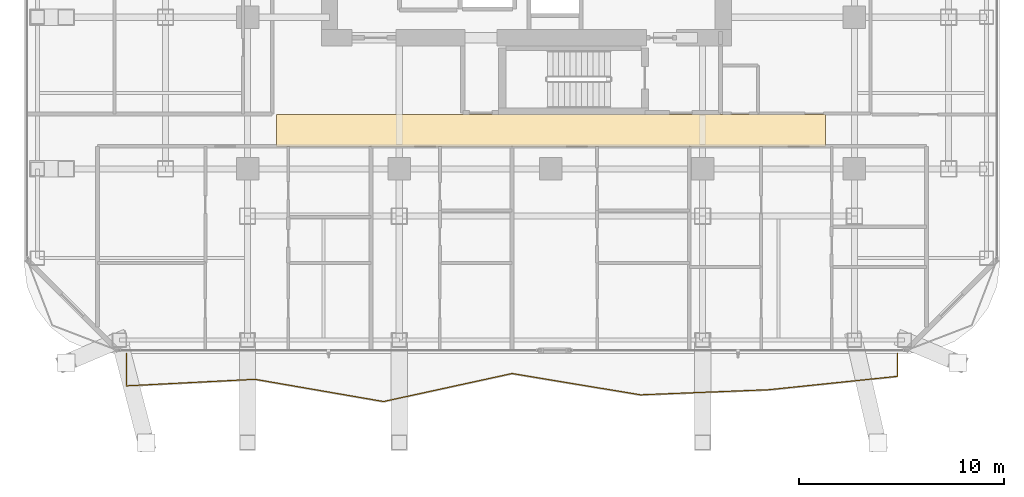
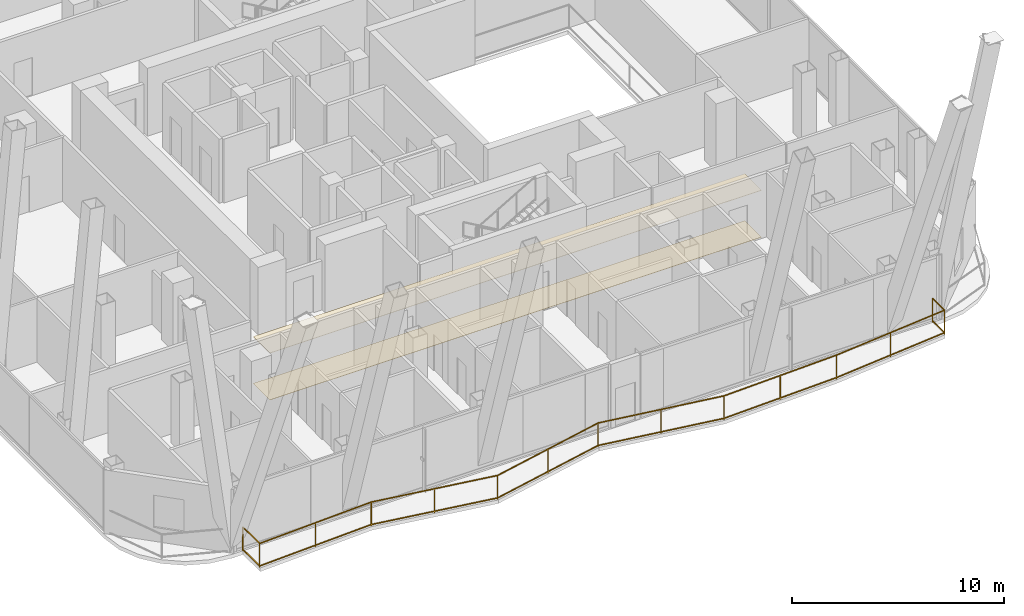
# One storey, part 29 of 34: 2 coverings, 1 railing.
"""IFC4 building model written with IfcOpenShell, lengths in metres."""

from ifc_helpers import new_model, si_unit, direction, frame, origin, origin_2d, place, context, subcontext, project, spatial, polyline, rectangle, outline, extrude, material, layer, layer_set, type_object, element, save


model = new_model("IFC4")

# Units and contexts
model_context = context("Model", 3, precision=1e-05, world=origin(), true_north=direction((0.0, 1.0)))
body_context = subcontext(model_context, "Body", "Model", "MODEL_VIEW")
ifc_project = project(units=[si_unit("LENGTHUNIT", "METRE"), si_unit("AREAUNIT", "SQUARE_METRE"), si_unit("VOLUMEUNIT", "CUBIC_METRE"), si_unit("PLANEANGLEUNIT", "RADIAN"), si_unit("MASSUNIT", "GRAM", prefix="KILO")], contexts=[model_context])

# Site, building, storey
site_placement = place(None, origin())
site = spatial("IfcSite", under=ifc_project, at=site_placement, CompositionType="ELEMENT")
building_placement = place(site_placement, origin())
building = spatial("IfcBuilding", under=site, at=building_placement, Name="Khorvyn Point Tower", CompositionType="ELEMENT")
storey_placement = place(building_placement, frame((0.0, 0.0, 175.800048828125)))
storey = spatial("IfcBuildingStorey", under=building, at=storey_placement, Name="L43", CompositionType="ELEMENT", Elevation=175.800048828125)

# Railing
ifc_material_1 = material(Name="Anodised aluminium 6063-T6 and laminated safety glass", Category="aluminium")
railing_type = type_object("IfcRailingType", Name="Laminated Glass and Aluminium Balcony Guardrail 1400", PredefinedType="BALUSTRADE", material=ifc_material_1)
railing_placement = place(storey_placement, frame((-20.699951171875, -23.800048828125, 0.0)))
element("IfcRailing", 1, at=railing_placement, inside=storey, type_object=railing_type, Name="L43 South Balcony Guardrail", PredefinedType="BALUSTRADE", context=body_context, shape_type="SweptSolid", body=[
    extrude(rectangle(XDim=0.048095703125, YDim=0.048095703125, at=origin_2d()), frame((0.0, 0.0, 1.3759765625), z_axis=(0.0, -1.0, 0.0), x_axis=(1.0, 0.0, 0.0)), (0.0, 0.0, 1.0), 1.58154296875),
    extrude(rectangle(XDim=0.048095703125, YDim=0.048095703125, at=origin_2d()), frame((0.0, 0.0, 0.080078125), z_axis=(0.0, -1.0, 0.0), x_axis=(1.0, 0.0, 0.0)), (0.0, 0.0, 1.0), 1.58154296875),
    extrude(rectangle(XDim=0.048095703125, YDim=0.048095703125, at=origin_2d()), frame((0.0, -1.58154296875, 1.3759765625), z_axis=(0.998706121207, 0.050853549183, 0.0), x_axis=(-0.050853549183, 0.998706121207, 0.0)), (0.0, 0.0, 1.0), 6.274658203125),
    extrude(rectangle(XDim=0.048095703125, YDim=0.048095703125, at=origin_2d()), frame((0.0, -1.58154296875, 0.080078125), z_axis=(0.998706121207, 0.050853549183, 0.0), x_axis=(-0.050853549183, 0.998706121207, 0.0)), (0.0, 0.0, 1.0), 6.274658203125),
    extrude(rectangle(XDim=0.048095703125, YDim=0.048095703125, at=origin_2d()), frame((6.2666015625, -1.262451171875, 1.3759765625), z_axis=(0.985353979217, -0.170521364177, 0.0), x_axis=(0.170521364177, 0.985353979217, 0.0)), (0.0, 0.0, 1.0), 6.35986328125),
    extrude(rectangle(XDim=0.048095703125, YDim=0.048095703125, at=origin_2d()), frame((6.2666015625, -1.262451171875, 0.080078125), z_axis=(0.985353979217, -0.170521364177, 0.0), x_axis=(0.170521364177, 0.985353979217, 0.0)), (0.0, 0.0, 1.0), 6.35986328125),
    extrude(rectangle(XDim=0.048095703125, YDim=0.048095703125, at=origin_2d()), frame((12.533203125, -2.346923828125, 1.3759765625), z_axis=(0.977051492994, 0.213003239503, 0.0), x_axis=(-0.213003239503, 0.977051492994, 0.0)), (0.0, 0.0, 1.0), 6.4140625),
    extrude(rectangle(XDim=0.048095703125, YDim=0.048095703125, at=origin_2d()), frame((12.533203125, -2.346923828125, 0.080078125), z_axis=(0.977051492994, 0.213003239503, 0.0), x_axis=(-0.213003239503, 0.977051492994, 0.0)), (0.0, 0.0, 1.0), 6.4140625),
    extrude(rectangle(XDim=0.048095703125, YDim=0.048095703125, at=origin_2d()), frame((18.800048828125, -0.980712890625, 1.3759765625), z_axis=(0.986524494659, -0.163613634633, 0.0), x_axis=(0.163613634633, 0.986524494659, 0.0)), (0.0, 0.0, 1.0), 6.352294921875),
    extrude(rectangle(XDim=0.048095703125, YDim=0.048095703125, at=origin_2d()), frame((18.800048828125, -0.980712890625, 0.080078125), z_axis=(0.986524494659, -0.163613634633, 0.0), x_axis=(0.163613634633, 0.986524494659, 0.0)), (0.0, 0.0, 1.0), 6.352294921875),
    extrude(rectangle(XDim=0.048095703125, YDim=0.048095703125, at=origin_2d()), frame((25.066650390625, -2.02001953125, 1.3759765625), z_axis=(0.999209826541, 0.039745723582, 0.0), x_axis=(-0.039745723582, 0.999209826541, 0.0)), (0.0, 0.0, 1.0), 6.271484375),
    extrude(rectangle(XDim=0.048095703125, YDim=0.048095703125, at=origin_2d()), frame((25.066650390625, -2.02001953125, 0.080078125), z_axis=(0.999209826541, 0.039745723582, 0.0), x_axis=(-0.039745723582, 0.999209826541, 0.0)), (0.0, 0.0, 1.0), 6.271484375),
    extrude(rectangle(XDim=0.048095703125, YDim=0.048095703125, at=origin_2d()), frame((31.333251953125, -1.770751953125, 1.3759765625), z_axis=(0.99462938435, 0.103500665638, 0.0), x_axis=(-0.103500665638, 0.99462938435, 0.0)), (0.0, 0.0, 1.0), 6.300537109375),
    extrude(rectangle(XDim=0.048095703125, YDim=0.048095703125, at=origin_2d()), frame((31.333251953125, -1.770751953125, 0.080078125), z_axis=(0.99462938435, 0.103500665638, 0.0), x_axis=(-0.103500665638, 0.99462938435, 0.0)), (0.0, 0.0, 1.0), 6.300537109375),
    extrude(rectangle(XDim=0.048095703125, YDim=0.048095703125, at=origin_2d()), frame((37.599853515625, -1.11865234375, 1.3759765625), z_axis=(0.0, 1.0, 0.0), x_axis=(-1.0, 0.0, 0.0)), (0.0, 0.0, 1.0), 1.11865234375),
    extrude(rectangle(XDim=0.048095703125, YDim=0.048095703125, at=origin_2d()), frame((37.599853515625, -1.11865234375, 0.080078125), z_axis=(0.0, 1.0, 0.0), x_axis=(-1.0, 0.0, 0.0)), (0.0, 0.0, 1.0), 1.11865234375),
    extrude(rectangle(XDim=0.0419921875, YDim=0.0419921875, at=origin_2d()), origin(), (0.0, 0.0, 1.0), 1.351806640625),
    extrude(rectangle(XDim=0.0419921875, YDim=0.0419921875, at=origin_2d()), frame((0.0, -1.58154296875, 0.0)), (0.0, 0.0, 1.0), 1.351806640625),
    extrude(rectangle(XDim=0.0419921875, YDim=0.0419921875, at=origin_2d()), frame((3.13330078125, -1.421875, 0.0)), (0.0, 0.0, 1.0), 1.351806640625),
    extrude(rectangle(XDim=0.0419921875, YDim=0.0419921875, at=origin_2d()), frame((6.2666015625, -1.262451171875, 0.0)), (0.0, 0.0, 1.0), 1.351806640625),
    extrude(rectangle(XDim=0.0419921875, YDim=0.0419921875, at=origin_2d()), frame((9.39990234375, -1.8046875, 0.0)), (0.0, 0.0, 1.0), 1.351806640625),
    extrude(rectangle(XDim=0.0419921875, YDim=0.0419921875, at=origin_2d()), frame((12.533203125, -2.346923828125, 0.0)), (0.0, 0.0, 1.0), 1.351806640625),
    extrude(rectangle(XDim=0.0419921875, YDim=0.0419921875, at=origin_2d()), frame((15.66650390625, -1.663818359375, 0.0)), (0.0, 0.0, 1.0), 1.351806640625),
    extrude(rectangle(XDim=0.0419921875, YDim=0.0419921875, at=origin_2d()), frame((18.800048828125, -0.980712890625, 0.0)), (0.0, 0.0, 1.0), 1.351806640625),
    extrude(rectangle(XDim=0.0419921875, YDim=0.0419921875, at=origin_2d()), frame((21.933349609375, -1.50048828125, 0.0)), (0.0, 0.0, 1.0), 1.351806640625),
    extrude(rectangle(XDim=0.0419921875, YDim=0.0419921875, at=origin_2d()), frame((25.066650390625, -2.02001953125, 0.0)), (0.0, 0.0, 1.0), 1.351806640625),
    extrude(rectangle(XDim=0.0419921875, YDim=0.0419921875, at=origin_2d()), frame((28.199951171875, -1.8955078125, 0.0)), (0.0, 0.0, 1.0), 1.351806640625),
    extrude(rectangle(XDim=0.0419921875, YDim=0.0419921875, at=origin_2d()), frame((31.333251953125, -1.770751953125, 0.0)), (0.0, 0.0, 1.0), 1.351806640625),
    extrude(rectangle(XDim=0.0419921875, YDim=0.0419921875, at=origin_2d()), frame((34.466552734375, -1.44482421875, 0.0)), (0.0, 0.0, 1.0), 1.351806640625),
    extrude(rectangle(XDim=0.0419921875, YDim=0.0419921875, at=origin_2d()), frame((37.599853515625, -1.11865234375, 0.0)), (0.0, 0.0, 1.0), 1.351806640625),
    extrude(rectangle(XDim=0.0419921875, YDim=0.0419921875, at=origin_2d()), frame((37.599853515625, 0.0, 0.0)), (0.0, 0.0, 1.0), 1.351806640625),
])

# Coverings
ifc_material_2 = material(Name="Mineral-fibre acoustic ceiling board", Category="gypsum")
ifc_layer_1 = layer(ifc_material_2, 0.02001953125)
ifc_layer_set_1 = layer_set([ifc_layer_1], Name="Perforated Mineral-Fibre Acoustic Suspended Ceiling 20")
covering_type_1 = type_object("IfcCoveringType", Name="Perforated Mineral-Fibre Acoustic Suspended Ceiling 20", PredefinedType="CEILING", material=ifc_layer_set_1)
covering_1_placement = place(storey_placement, frame((0.0, 0.0, 2.699951171875)))
element("IfcCovering", 2, at=covering_1_placement, inside=storey, type_object=covering_type_1, Name="L43 South Corridor Acoustic Ceiling", PredefinedType="CEILING", context=body_context, shape_type="SweptSolid", body=[
    extrude(outline(polyline([(-13.39990234375, -13.7099609375), (13.39990234375, -13.7099609375), (13.39990234375, -12.139892578125), (-13.39990234375, -12.139892578125), (-13.39990234375, -13.7099609375)])), origin(), (0.0, 0.0, 1.0), 0.02001953125),
])
ifc_material_3 = material(Name="Vitrified porcelain terrazzo tile", Category="ceramic")
ifc_layer_2 = layer(ifc_material_3, 0.01806640625)
ifc_layer_set_2 = layer_set([ifc_layer_2], Name="Porcelain Terrazzo Corridor Floor Finish Tile 18")
covering_type_2 = type_object("IfcCoveringType", Name="Porcelain Terrazzo Corridor Floor Finish Tile 18", PredefinedType="FLOORING", material=ifc_layer_set_2)
covering_2_placement = place(storey_placement, origin())
element("IfcCovering", 3, at=covering_2_placement, inside=storey, type_object=covering_type_2, Name="L43 South Corridor Terrazzo Flooring", PredefinedType="FLOORING", context=body_context, shape_type="SweptSolid", body=[
    extrude(outline(polyline([(-13.39990234375, -13.7099609375), (13.39990234375, -13.7099609375), (13.39990234375, -12.139892578125), (-13.39990234375, -12.139892578125), (-13.39990234375, -13.7099609375)])), origin(), (0.0, 0.0, 1.0), 0.01806640625),
])

save(model, "model.ifc")
